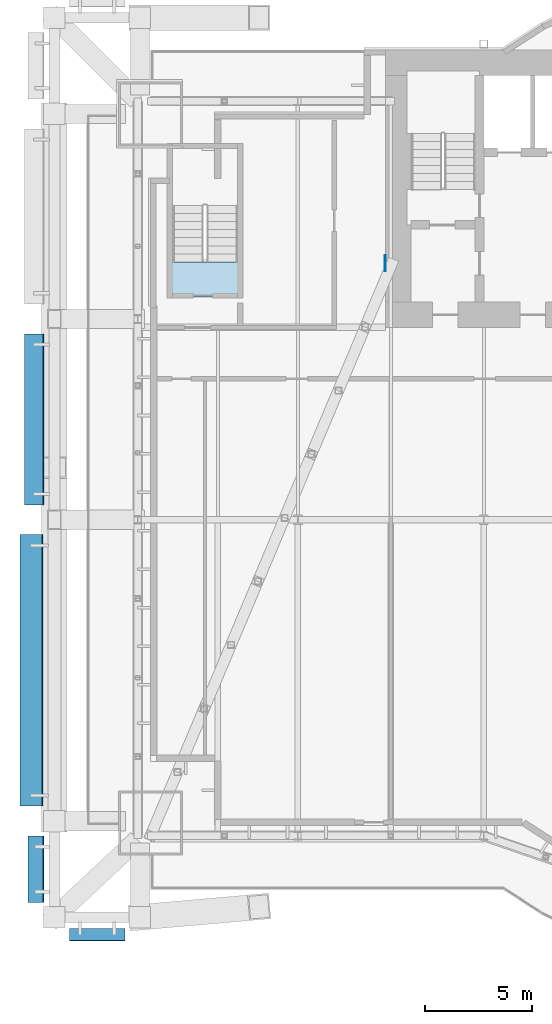
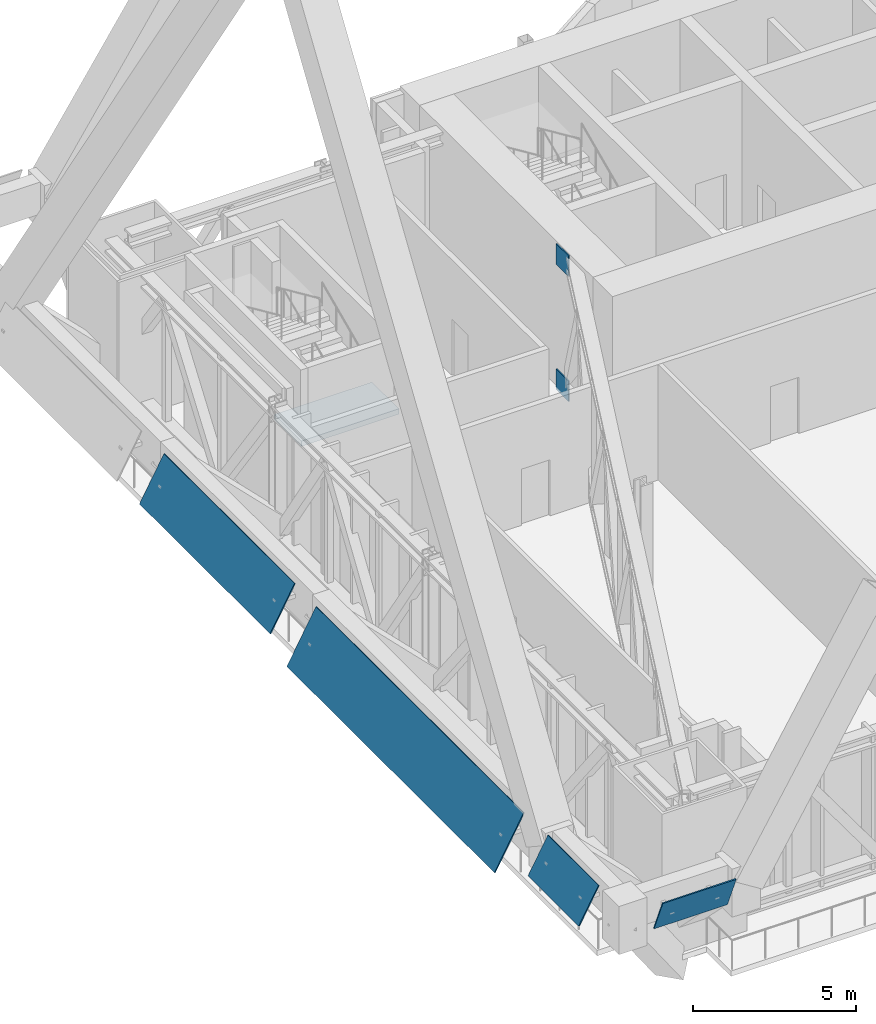
# One storey, part 21 of 32: 6 plates, 1 slab, 1 element without a shape of its own.
"""IFC4 building model written with IfcOpenShell, lengths in metres."""

from ifc_helpers import new_model, si_unit, direction, frame, origin, origin_2d, place, context, subcontext, project, spatial, polyline, rectangle, outline, extrude, material, layer, layer_set, type_object, element, aggregate, save


model = new_model("IFC4")

# Units and contexts
model_context = context("Model", 3, precision=1e-05, world=origin(), true_north=direction((0.0, 1.0)))
body_context = subcontext(model_context, "Body", "Model", "MODEL_VIEW")
ifc_project = project(units=[si_unit("LENGTHUNIT", "METRE"), si_unit("AREAUNIT", "SQUARE_METRE"), si_unit("VOLUMEUNIT", "CUBIC_METRE"), si_unit("PLANEANGLEUNIT", "RADIAN"), si_unit("MASSUNIT", "GRAM", prefix="KILO")], contexts=[model_context])

# Site, building, storey
site_placement = place(None, origin())
site = spatial("IfcSite", under=ifc_project, at=site_placement, CompositionType="ELEMENT")
building_placement = place(site_placement, origin())
building = spatial("IfcBuilding", under=site, at=building_placement, Name="Bicima Exchange Tower", CompositionType="ELEMENT")
storey_placement = place(building_placement, frame((0.0, 0.0, 84.5)))
storey = spatial("IfcBuildingStorey", under=building, at=storey_placement, Name="L17", CompositionType="ELEMENT", Elevation=84.5)

# Plates
ifc_material_1 = material(Name="Dark tinted spandrel glass", Category="glass")
ifc_layer_1 = layer(ifc_material_1, 0.0400390625)
ifc_layer_set_1 = layer_set([ifc_layer_1], Name="Dark tinted spandrel glass")
plate_type_1 = type_object("IfcPlateType", Name="Belt fascia glass panel 40", PredefinedType="SHEET", material=ifc_layer_set_1)
plate_1_placement = place(storey_placement, frame((-36.800048828125, -41.142578125, 4.050048828125), z_axis=(0.0, 0.919715682457, 0.39258510344), x_axis=(1.0, 0.0, 0.0)))
element("IfcPlate", 1, at=plate_1_placement, inside=storey, type_object=plate_type_1, Name="Belt fascia glass panel", PredefinedType="SHEET", context=body_context, shape_type="SweptSolid", body=[
    extrude(outline(polyline([(0.0, 0.0), (2.60009765625, 0.0), (2.60009765625, -1.3917663048388182), (0.0, -1.3917663048388182), (0.0, 0.0)])), origin(), (0.0, 0.0, -1.0), 0.0400390625),
])
plate_2_placement = place(storey_placement, frame((-38.897216796875, -13.300048828125, 3.75), z_axis=(-0.876650248979, 0.0, 0.481128195978), x_axis=(0.0, -1.0, 0.0)))
element("IfcPlate", 2, at=plate_2_placement, inside=storey, type_object=plate_type_1, Name="Belt fascia glass panel", PredefinedType="SHEET", context=body_context, shape_type="SweptSolid", body=[
    extrude(outline(polyline([(0.0, 0.0), (8.0, 0.0), (8.0, 1.8024042391372048), (0.0, 1.8024042391372048), (0.0, 0.0)])), origin(), (0.0, 0.0, -1.0), 0.0400390625),
])
plate_3_placement = place(storey_placement, frame((-39.11181640625, -22.699951171875, 3.449951171875), z_axis=(-0.876674581874, 0.0, 0.481083857031), x_axis=(0.0, -1.0, 0.0)))
element("IfcPlate", 3, at=plate_3_placement, inside=storey, type_object=plate_type_1, Name="Belt fascia glass panel", PredefinedType="SHEET", context=body_context, shape_type="SweptSolid", body=[
    extrude(outline(polyline([(0.0, 0.0), (12.712646484375, 0.0), (12.712646484375, 2.1446121422914217), (0.0, 2.1446121422914217), (0.0, 0.0)])), origin(), (0.0, 0.0, -1.0), 0.0400390625),
])
plate_4_placement = place(storey_placement, frame((-38.732421875, -36.812744140625, 4.050048828125), z_axis=(-0.876685030348, 0.0, 0.481064816386), x_axis=(0.0, -1.0, 0.0)))
element("IfcPlate", 4, at=plate_4_placement, inside=storey, type_object=plate_type_1, Name="Belt fascia glass panel", PredefinedType="SHEET", context=body_context, shape_type="SweptSolid", body=[
    extrude(outline(polyline([(0.0, 0.0), (3.099853515625, 0.0), (3.099853515625, 1.460078879603219), (0.0, 1.460078879603219), (0.0, 0.0)])), origin(), (0.0, 0.0, -1.0), 0.0400390625),
])
ifc_material_2 = material(Name="Steel ASTM A572 Gr 50", Category="steel")
ifc_layer_2 = layer(ifc_material_2, 0.0400390625)
ifc_layer_set_2 = layer_set([ifc_layer_2], Name="Steel ASTM A572 Gr 50")
plate_type_2 = type_object("IfcPlateType", Name="Cast-in plate 40", PredefinedType="SHEET", material=ifc_layer_set_2)
for number, where, z_axis, x_axis, name in (
    (5, (-22.02001953125, -10.0, 4.5810546875), (0.0, 0.0, 1.0), (1.0, 0.0, 0.0), "Cast-in plate at core wall"),
    (6, (-22.02001953125, -10.0, -0.10009765625), (0.0, 0.0, 1.0), (1.0, 0.0, 0.0), "Cast-in plate at core wall"),
):
    element("IfcPlate", number, at=place(storey_placement, frame(where, z_axis=z_axis, x_axis=x_axis)), inside=storey, type_object=plate_type_2, Name=name, PredefinedType="SHEET", context=body_context, shape_type="SweptSolid", body=[
        extrude(rectangle(XDim=0.0400390625, YDim=0.754638671875, at=origin_2d()), origin(), (0.0, 0.0, 1.0), 0.76904296875),
    ])

# Stair, slab
ifc_material_3 = material(Name="Concrete C50/60", Category="concrete")
stair_type = type_object("IfcStairType", Name="Exit stair", PredefinedType="HALF_TURN_STAIR", material=ifc_material_3)
stair_placement = place(storey_placement, origin())
stair = element("IfcStair", 7, at=stair_placement, inside=storey, type_object=stair_type, Name="L17 West end exit stair", PredefinedType="HALF_TURN_STAIR")
ifc_layer_3 = layer(ifc_material_3, 0.199951171875)
ifc_layer_set_3 = layer_set([ifc_layer_3], Name="Concrete C50/60")
slab_type = type_object("IfcSlabType", Name="Stair landing slab", PredefinedType="LANDING", material=ifc_layer_set_3)
slab_placement = place(storey_placement, frame((0.0, 0.0, 2.5)))
slab = element("IfcSlab", 8, at=slab_placement, type_object=slab_type, Name="ST-WW landing 2", PredefinedType="LANDING", context=body_context, shape_type="SweptSolid", body=[
    extrude(outline(polyline([(-28.72509765625, -11.574951171875), (-28.72509765625, -9.925048828125), (-32.175048828125, -9.925048828125), (-32.175048828125, -11.574951171875), (-28.72509765625, -11.574951171875)])), origin(), (0.0, 0.0, 1.0), 0.199951171875),
])
aggregate(stair, [slab])

save(model, "model.ifc")
